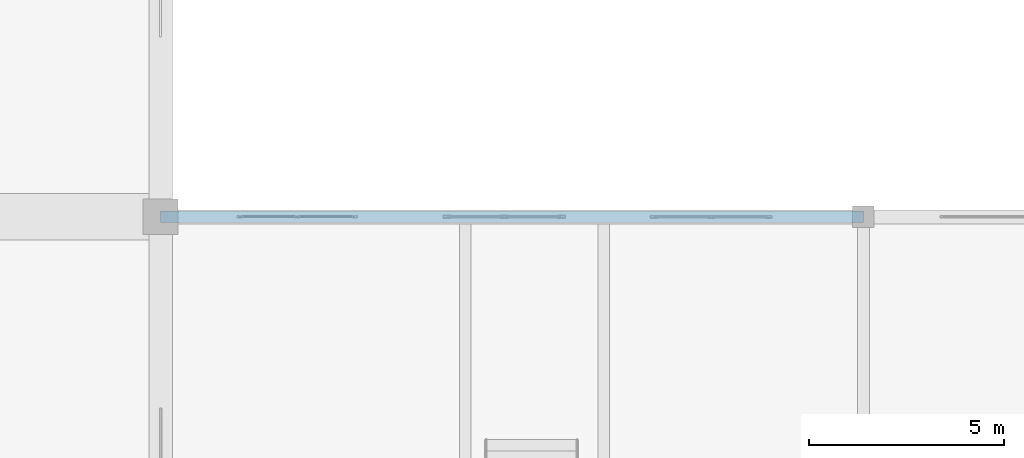
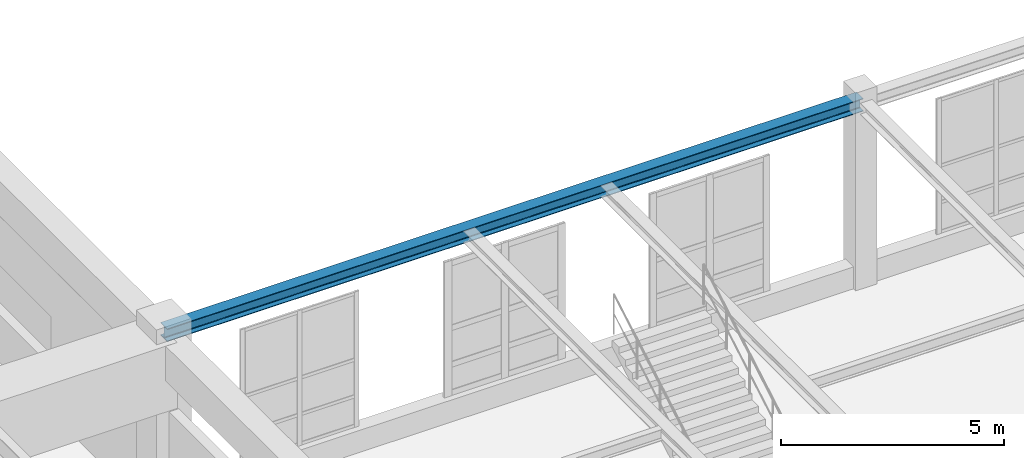
# One storey, part 80 of 197: 1 beam.
"""IFC4 building model written with IfcOpenShell, lengths in metres."""

from ifc_helpers import new_model, si_unit, derived_unit, direction, frame, origin, origin_2d, place, context, subcontext, project, spatial, i_section, extrude, material, material_profile, profile_set, type_object, element, save


model = new_model("IFC4")

# Units and contexts
model_context = context("Model", 3, precision=1e-05, world=origin(), true_north=direction((0.0, 1.0)))
body_context = subcontext(model_context, "Body", "Model", "MODEL_VIEW")
ifc_project = project(units=[si_unit("LENGTHUNIT", "METRE"), si_unit("AREAUNIT", "SQUARE_METRE"), si_unit("VOLUMEUNIT", "CUBIC_METRE"), si_unit("PLANEANGLEUNIT", "RADIAN"), si_unit("MASSUNIT", "GRAM", prefix="KILO"), derived_unit("THERMALTRANSMITTANCEUNIT", [(si_unit("POWERUNIT", "WATT"), 1), (si_unit("LENGTHUNIT", "METRE"), -2), (si_unit("THERMODYNAMICTEMPERATUREUNIT", "KELVIN"), -1)])], contexts=[model_context])

# Site, building, storey
site_placement = place(None, origin())
site = spatial("IfcSite", under=ifc_project, at=site_placement, CompositionType="ELEMENT")
building_placement = place(site_placement, origin())
building = spatial("IfcBuilding", under=site, at=building_placement, Name="Almenara Railside Exhibition Hall", CompositionType="ELEMENT")
storey_placement = place(building_placement, frame((0.0, 0.0, 5.39990234375)))
storey = spatial("IfcBuildingStorey", under=building, at=storey_placement, Name="L01", CompositionType="ELEMENT", Elevation=5.39990234375)

# Beam
ifc_material = material(Name="Structural steel S355JR", Category="steel")
ifc_material_profile = material_profile(ifc_material, i_section(OverallWidth=0.300048828125, OverallDepth=0.35009765625, WebThickness=0.010009765625, FlangeThickness=0.017578125, FilletRadius=0.027099609375, at=origin_2d()), Name="HEA 360")
ifc_profile_set = profile_set([ifc_material_profile], Name="Structural steel S355JR")
beam_type = type_object("IfcBeamType", Name="Steel Concourse Frame Beam HEA 360 S355JR", PredefinedType="BEAM", material=ifc_profile_set)
beam_placement = place(storey_placement, frame((66.0, 108.0, 4.9150390625), z_axis=(1.0, 0.0, 0.0), x_axis=(0.0, 1.0, 0.0)))
element("IfcBeam", 1, at=beam_placement, inside=storey, type_object=beam_type, Name="Beam 0807", PredefinedType="BEAM", context=body_context, shape_type="SweptSolid", body=[
    extrude(i_section(OverallWidth=0.300048828125, OverallDepth=0.35009765625, WebThickness=0.010009765625, FlangeThickness=0.017578125, FilletRadius=0.027099609375, at=origin_2d()), origin(), (0.0, 0.0, 1.0), 18.0),
])

save(model, "model.ifc")
